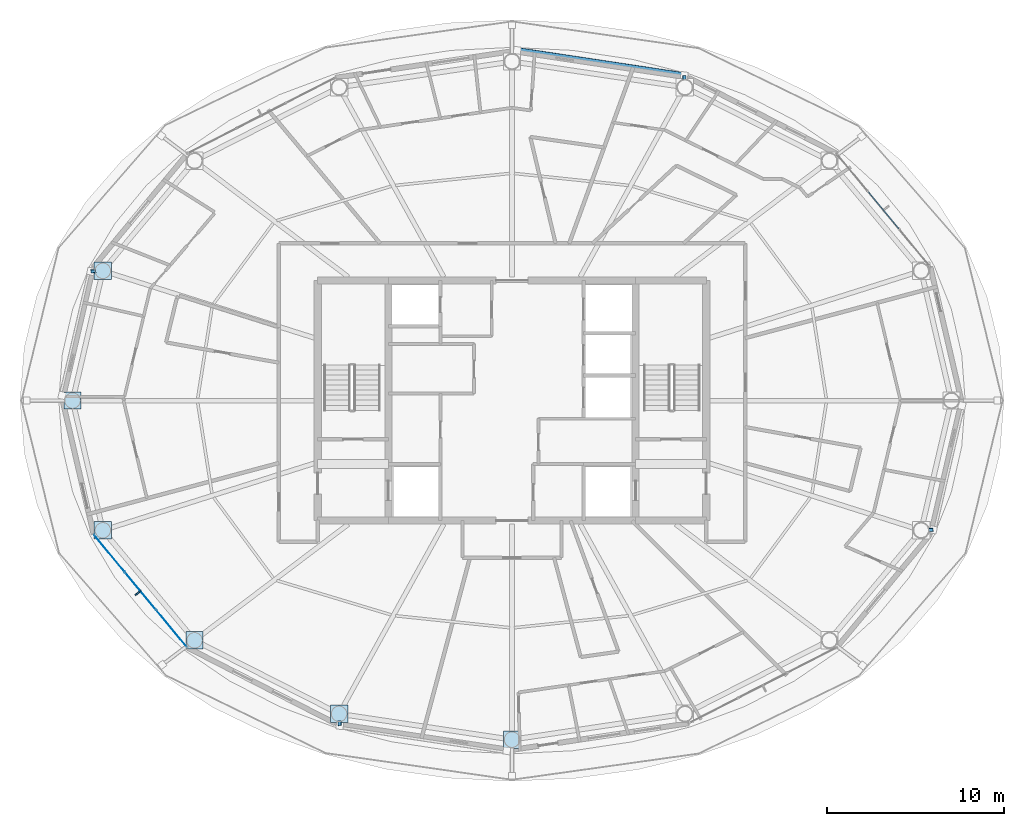
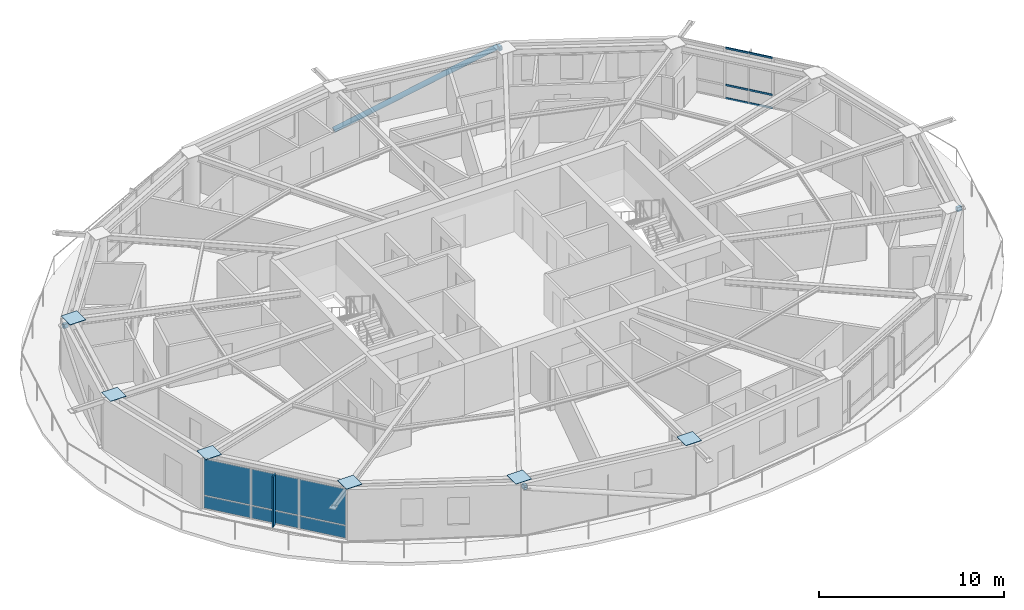
# One storey, part 12 of 23: 13 plates, 8 members, 2 elements without a shape of their own.
"""IFC4 building model written with IfcOpenShell, lengths in metres."""

from ifc_helpers import new_model, si_unit, direction, frame, origin, origin_2d, place, context, subcontext, project, spatial, rectangle, hollow_rectangle, hollow_circle, extrude, material, layer, layer_set, material_profile, profile_set, type_object, element, aggregate, save


model = new_model("IFC4")

# Units and contexts
model_context = context("Model", 3, precision=1e-05, world=origin(), true_north=direction((0.0, 1.0)))
body_context = subcontext(model_context, "Body", "Model", "MODEL_VIEW")
ifc_project = project(units=[si_unit("LENGTHUNIT", "METRE"), si_unit("AREAUNIT", "SQUARE_METRE"), si_unit("VOLUMEUNIT", "CUBIC_METRE"), si_unit("PLANEANGLEUNIT", "RADIAN"), si_unit("MASSUNIT", "GRAM", prefix="KILO")], contexts=[model_context])

# Site, building, storey
site_placement = place(None, origin())
site = spatial("IfcSite", under=ifc_project, at=site_placement, CompositionType="ELEMENT")
building_placement = place(site_placement, origin())
building = spatial("IfcBuilding", under=site, at=building_placement, Name="Sarneth Arch Tower", CompositionType="ELEMENT")
storey_placement = place(building_placement, frame((0.0, 0.0, 262.199951171875)))
storey = spatial("IfcBuildingStorey", under=building, at=storey_placement, Name="L67", CompositionType="ELEMENT", Elevation=262.199951171875)

# Curtain wall, members
ifc_material_1 = material(Name="Anodised aluminium Type AA25 and solar-control low-e laminated IGU", Category="aluminium")
ifc_layer_1 = layer(ifc_material_1, 0.179931640625)
ifc_layer_set_1 = layer_set([ifc_layer_1], Name="Anodised aluminium Type AA25 and solar-control low-e laminated IGU")
curtain_wall_type = type_object("IfcCurtainWallType", Name="CW-RES-HIGH", PredefinedType="NOTDEFINED", material=ifc_layer_set_1)
curtain_wall_1_placement = place(storey_placement, origin())
curtain_wall_1 = element("IfcCurtainWall", 1, at=curtain_wall_1_placement, inside=storey, type_object=curtain_wall_type, Name="L67 Unitised curtain wall facet 02", PredefinedType="NOTDEFINED")
ifc_material_2 = material(Name="Anodised Aluminium 6063-T6", Category="aluminium")
ifc_material_profile_1 = material_profile(ifc_material_2, hollow_rectangle(XDim=0.06005859375, YDim=0.1201171875, WallThickness=0.00390625, at=origin_2d()), Name="AL-TRAN-120x60x4")
ifc_profile_set_1 = profile_set([ifc_material_profile_1], Name="Anodised Aluminium 6063-T6")
member_type_1 = type_object("IfcMemberType", Name="CW-TRANSOM", PredefinedType="USERDEFINED", material=ifc_profile_set_1)
member_1_placement = place(storey_placement, frame((69.904296875, 51.731689453125, 0.030029296875), z_axis=(-0.637617371902, 0.770353222261, 0.0), x_axis=(-0.770353222261, -0.637617371902, 0.0)))
member_1 = element("IfcMember", 2, at=member_1_placement, type_object=member_type_1, Name="CW-SYS-6 transom 2.1", ObjectType="TRANSOM", PredefinedType="USERDEFINED", context=body_context, shape_type="SweptSolid", body=[
    extrude(hollow_rectangle(XDim=0.06005859375, YDim=0.1201171875, WallThickness=0.00390625, at=origin_2d()), origin(), (0.0, 0.0, 1.0), 2.716552734375),
])
member_2_placement = place(storey_placement, frame((69.904296875, 51.731689453125, 0.900146484375), z_axis=(-0.637617371902, 0.770353222261, 0.0), x_axis=(-0.770353222261, -0.637617371902, 0.0)))
member_2 = element("IfcMember", 3, at=member_2_placement, type_object=member_type_1, Name="CW-SYS-6 transom 2.2", ObjectType="TRANSOM", PredefinedType="USERDEFINED", context=body_context, shape_type="SweptSolid", body=[
    extrude(hollow_rectangle(XDim=0.06005859375, YDim=0.1201171875, WallThickness=0.00390625, at=origin_2d()), origin(), (0.0, 0.0, 1.0), 2.716552734375),
])
member_3_placement = place(storey_placement, frame((69.904296875, 51.731689453125, 3.340087890625), z_axis=(-0.637617371902, 0.770353222261, 0.0), x_axis=(-0.770353222261, -0.637617371902, 0.0)))
member_3 = element("IfcMember", 4, at=member_3_placement, type_object=member_type_1, Name="CW-SYS-6 transom 2.3", ObjectType="TRANSOM", PredefinedType="USERDEFINED", context=body_context, shape_type="SweptSolid", body=[
    extrude(hollow_rectangle(XDim=0.06005859375, YDim=0.1201171875, WallThickness=0.00390625, at=origin_2d()), origin(), (0.0, 0.0, 1.0), 2.716552734375),
])
aggregate(curtain_wall_1, [member_1, member_2, member_3])

# Members
ifc_material_3 = material(Name="Steel S355", Category="steel")
ifc_material_profile_2 = material_profile(ifc_material_3, hollow_rectangle(XDim=0.199951171875, YDim=0.300048828125, WallThickness=0.012451171875, InnerFilletRadius=0.018798828125, OuterFilletRadius=0.03125, at=origin_2d()), Name="RHS300x200x12.5")
ifc_profile_set_2 = profile_set([ifc_material_profile_2], Name="Steel S355")
member_type_2 = type_object("IfcMemberType", Name="MEM-CANT-STRUT", PredefinedType="STRUT", material=ifc_profile_set_2)
member_4_placement = place(storey_placement, frame((57.768798828125, 60.142822265625, 3.09228515625), z_axis=(-0.05446449316, 0.998515707931, 0.0), x_axis=(-0.998515707931, -0.05446449316, 0.0)))
element("IfcMember", 5, at=member_4_placement, inside=storey, type_object=member_type_2, Name="L67 Exoskeleton brace node strut 04B", PredefinedType="STRUT", context=body_context, shape_type="SweptSolid", body=[
    extrude(hollow_rectangle(XDim=0.199951171875, YDim=0.300048828125, WallThickness=0.012451171875, InnerFilletRadius=0.018798828125, OuterFilletRadius=0.03125, at=origin_2d()), origin(), (0.0, 0.0, 1.0), 0.26904296875),
])
member_5_placement = place(storey_placement, frame((24.426513671875, 49.32861328125, 3.09228515625), z_axis=(-0.998880000755, -0.047315368457, 0.0), x_axis=(0.047315368457, -0.998880000755, 0.0)))
element("IfcMember", 6, at=member_5_placement, inside=storey, type_object=member_type_2, Name="L67 Exoskeleton brace node strut 08B", PredefinedType="STRUT", context=body_context, shape_type="SweptSolid", body=[
    extrude(hollow_rectangle(XDim=0.199951171875, YDim=0.300048828125, WallThickness=0.012451171875, InnerFilletRadius=0.018798828125, OuterFilletRadius=0.03125, at=origin_2d()), origin(), (0.0, 0.0, 1.0), 0.278564453125),
])
member_6_placement = place(storey_placement, frame((38.231201171875, 23.857177734375, 3.09228515625), z_axis=(0.05446449316, -0.998515707931, 0.0), x_axis=(0.998515707931, 0.05446449316, 0.0)))
element("IfcMember", 7, at=member_6_placement, inside=storey, type_object=member_type_2, Name="L67 Exoskeleton brace node strut 12B", PredefinedType="STRUT", context=body_context, shape_type="SweptSolid", body=[
    extrude(hollow_rectangle(XDim=0.199951171875, YDim=0.300048828125, WallThickness=0.012451171875, InnerFilletRadius=0.018798828125, OuterFilletRadius=0.03125, at=origin_2d()), origin(), (0.0, 0.0, 1.0), 0.26904296875),
])
member_7_placement = place(storey_placement, frame((71.573486328125, 34.67138671875, 3.09228515625), z_axis=(0.998880000755, 0.047315368457, 0.0), x_axis=(-0.047315368457, 0.998880000755, 0.0)))
element("IfcMember", 8, at=member_7_placement, inside=storey, type_object=member_type_2, Name="L67 Exoskeleton brace node strut 16B", PredefinedType="STRUT", context=body_context, shape_type="SweptSolid", body=[
    extrude(hollow_rectangle(XDim=0.199951171875, YDim=0.300048828125, WallThickness=0.012451171875, InnerFilletRadius=0.018798828125, OuterFilletRadius=0.03125, at=origin_2d()), origin(), (0.0, 0.0, 1.0), 0.278564453125),
])
ifc_material_4 = material(Name="Steel S355", Category="steel")
ifc_material_profile_3 = material_profile(ifc_material_4, hollow_circle(Radius=0.162109375, WallThickness=0.012451171875, at=origin_2d()), Name="CHS324x12.5")
ifc_profile_set_3 = profile_set([ifc_material_profile_3], Name="Steel S355")
member_type_3 = type_object("IfcMemberType", Name="MEM-DIAG-BR3", PredefinedType="BRACE", material=ifc_profile_set_3)
member_8_placement = place(storey_placement, frame((48.296630859375, 61.83544921875, 0.02001953125), z_axis=(0.941471055877, -0.141762627625, 0.305835917372), x_axis=(0.148897148305, 0.988852688335, 0.0)))
element("IfcMember", 9, at=member_8_placement, inside=storey, type_object=member_type_3, Name="L67 Perimeter frame diagonal 04", PredefinedType="BRACE", context=body_context, shape_type="SweptSolid", body=[
    extrude(hollow_circle(Radius=0.162109375, WallThickness=0.012451171875, at=origin_2d()), origin(), (0.0, 0.0, 1.0), 10.04541015625),
])

# Curtain wall, plates
curtain_wall_2_placement = place(storey_placement, origin())
curtain_wall_2 = element("IfcCurtainWall", 10, at=curtain_wall_2_placement, inside=storey, type_object=curtain_wall_type, Name="L67 Unitised curtain wall facet 10", PredefinedType="NOTDEFINED")
ifc_material_5 = material(Name="Solar-control low-e laminated IGU", Category="glass")
ifc_layer_2 = layer(ifc_material_5, 0.028076171875)
ifc_layer_set_2 = layer_set([ifc_layer_2], Name="Solar-control low-e laminated IGU")
plate_type_1 = type_object("IfcPlateType", Name="CW-PANEL", PredefinedType="CURTAIN_PANEL", material=ifc_layer_set_2)
plate_1_placement = place(storey_placement, frame((25.200927734375, 33.349365234375, 0.06005859375), z_axis=(0.0, 0.0, 1.0), x_axis=(0.637610094184, -0.770359245933, 0.0)))
plate_1 = element("IfcPlate", 11, at=plate_1_placement, type_object=plate_type_1, Name="Curtain wall glazed vision pane CW-L67-F10/P00-00", PredefinedType="CURTAIN_PANEL", context=body_context, shape_type="SweptSolid", body=[
    extrude(rectangle(XDim=2.686767578125, YDim=0.028076171875, at=origin_2d()), origin(), (0.0, 0.0, 1.0), 0.81005859375),
])
plate_2_placement = place(storey_placement, frame((25.200927734375, 33.349365234375, 0.93017578125), z_axis=(0.0, 0.0, 1.0), x_axis=(0.637610094184, -0.770359245933, 0.0)))
plate_2 = element("IfcPlate", 12, at=plate_2_placement, type_object=plate_type_1, Name="Curtain wall glazed vision pane CW-L67-F10/P00-01", PredefinedType="CURTAIN_PANEL", context=body_context, shape_type="SweptSolid", body=[
    extrude(rectangle(XDim=2.686767578125, YDim=0.028076171875, at=origin_2d()), origin(), (0.0, 0.0, 1.0), 2.3798828125),
])
plate_3_placement = place(storey_placement, frame((26.9619140625, 31.221923828125, 0.06005859375), z_axis=(0.0, 0.0, 1.0), x_axis=(0.637610094184, -0.770359245933, 0.0)))
plate_3 = element("IfcPlate", 13, at=plate_3_placement, type_object=plate_type_1, Name="Curtain wall glazed vision pane CW-L67-F10/P01-00", PredefinedType="CURTAIN_PANEL", context=body_context, shape_type="SweptSolid", body=[
    extrude(rectangle(XDim=2.716552734375, YDim=0.028076171875, at=origin_2d()), origin(), (0.0, 0.0, 1.0), 0.81005859375),
])
plate_4_placement = place(storey_placement, frame((26.9619140625, 31.221923828125, 0.93017578125), z_axis=(0.0, 0.0, 1.0), x_axis=(0.637610094184, -0.770359245933, 0.0)))
plate_4 = element("IfcPlate", 14, at=plate_4_placement, type_object=plate_type_1, Name="Curtain wall glazed vision pane CW-L67-F10/P01-01", PredefinedType="CURTAIN_PANEL", context=body_context, shape_type="SweptSolid", body=[
    extrude(rectangle(XDim=2.716552734375, YDim=0.028076171875, at=origin_2d()), origin(), (0.0, 0.0, 1.0), 2.3798828125),
])
plate_5_placement = place(storey_placement, frame((28.72265625, 29.094482421875, 0.06005859375), z_axis=(0.0, 0.0, 1.0), x_axis=(0.637610094184, -0.770359245933, 0.0)))
plate_5 = element("IfcPlate", 15, at=plate_5_placement, type_object=plate_type_1, Name="Curtain wall glazed vision pane CW-L67-F10/P02-00", PredefinedType="CURTAIN_PANEL", context=body_context, shape_type="SweptSolid", body=[
    extrude(rectangle(XDim=2.686767578125, YDim=0.028076171875, at=origin_2d()), origin(), (0.0, 0.0, 1.0), 0.81005859375),
])
plate_6_placement = place(storey_placement, frame((28.72265625, 29.094482421875, 0.93017578125), z_axis=(0.0, 0.0, 1.0), x_axis=(0.637610094184, -0.770359245933, 0.0)))
plate_6 = element("IfcPlate", 16, at=plate_6_placement, type_object=plate_type_1, Name="Curtain wall glazed vision pane CW-L67-F10/P02-01", PredefinedType="CURTAIN_PANEL", context=body_context, shape_type="SweptSolid", body=[
    extrude(rectangle(XDim=2.686767578125, YDim=0.028076171875, at=origin_2d()), origin(), (0.0, 0.0, 1.0), 2.3798828125),
])
aggregate(curtain_wall_2, [plate_1, plate_2, plate_3, plate_4, plate_5, plate_6])

# Plates
ifc_material_6 = material(Name="Steel S355", Category="steel")
ifc_layer_3 = layer(ifc_material_6, 0.0400390625)
ifc_layer_set_3 = layer_set([ifc_layer_3], Name="Steel S355")
plate_type_2 = type_object("IfcPlateType", Name="PLT-SPLICE-40", PredefinedType="SHEET", material=ifc_layer_set_3)
for number, where, z_axis, x_axis, name in (
    (17, (24.8310546875, 49.347412109375, 3.35205078125), (0.0, 0.0, 1.0), (1.0, 0.0, 0.0), "Steel end cap plate GP-2"),
    (18, (23.11669921875, 42.0, 3.35205078125), (0.0, 0.0, 1.0), (1.0, 0.0, 0.0), "Steel end cap plate GP-2"),
    (19, (24.8310546875, 34.652587890625, 3.35205078125), (0.0, 0.0, 1.0), (1.0, 0.0, 0.0), "Steel end cap plate GP-2"),
    (20, (30.024658203125, 28.423583984375, 3.35205078125), (0.0, 0.0, 1.0), (1.0, 0.0, 0.0), "Steel end cap plate GP-2"),
    (21, (38.209228515625, 24.261474609375, 3.35205078125), (0.0, 0.0, 1.0), (1.0, 0.0, 0.0), "Steel end cap plate GP-2"),
    (22, (48.0, 22.800048828125, 3.35205078125), (0.0, 0.0, 1.0), (1.0, 0.0, 0.0), "Steel end cap plate GP-2"),
):
    element("IfcPlate", number, at=place(storey_placement, frame(where, z_axis=z_axis, x_axis=x_axis)), inside=storey, type_object=plate_type_2, Name=name, PredefinedType="SHEET", context=body_context, shape_type="SweptSolid", body=[
        extrude(rectangle(XDim=0.97998046875, YDim=0.97998046875, at=origin_2d()), origin(), (0.0, 0.0, 1.0), 0.035888671875),
    ])
ifc_material_7 = material(Name="Extruded glazed terracotta baguette fin on Aluminium 6063-T6 carrier", Category="masonry")
ifc_layer_4 = layer(ifc_material_7, 0.080078125)
ifc_layer_set_4 = layer_set([ifc_layer_4], Name="Extruded glazed terracotta baguette fin on Aluminium 6063-T6 carrier")
plate_type_3 = type_object("IfcPlateType", Name="SHADE-TERRA-FIN", PredefinedType="SHEET", material=ifc_layer_set_4)
plate_7_placement = place(storey_placement, frame((26.830810546875, 31.113525390625, 0.010009765625), z_axis=(0.0, 0.0, 1.0), x_axis=(-0.770401979567, -0.63755845997, 0.0)))
element("IfcPlate", 23, at=plate_7_placement, inside=storey, type_object=plate_type_3, Name="L67 Terracotta vertical shading fin 10", PredefinedType="SHEET", context=body_context, shape_type="SweptSolid", body=[
    extrude(rectangle(XDim=0.419921875, YDim=0.080078125, at=origin_2d()), origin(), (0.0, 0.0, 1.0), 3.35009765625),
])

save(model, "model.ifc")
